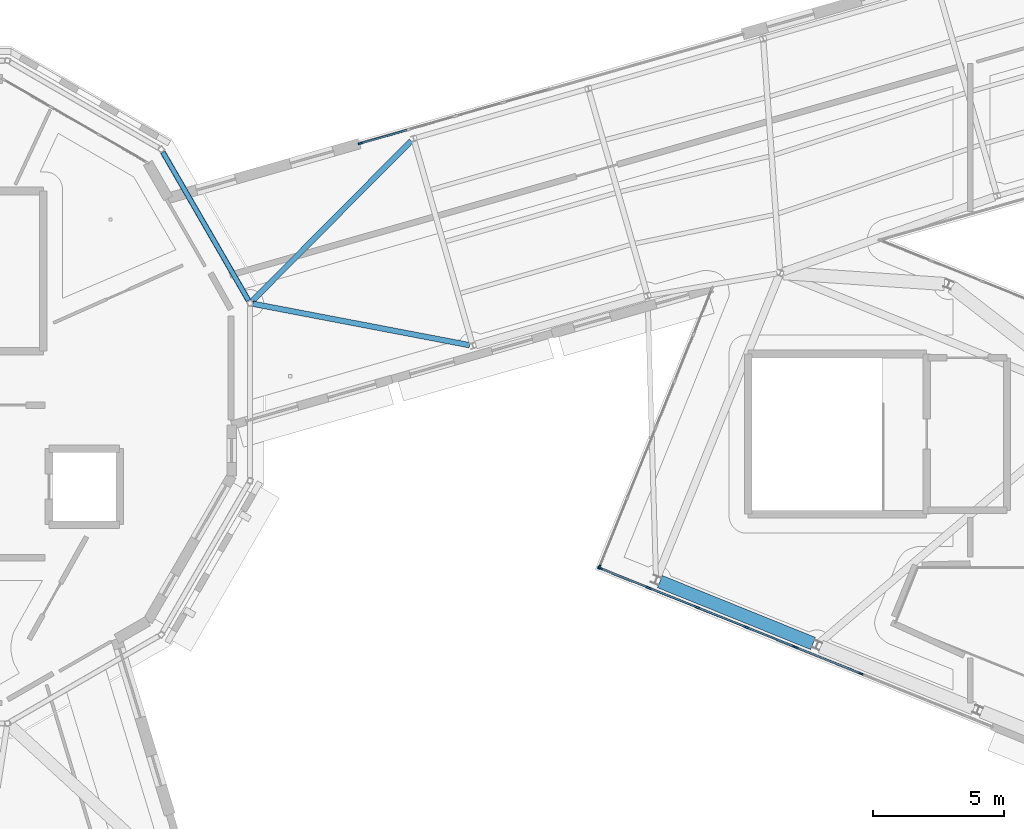
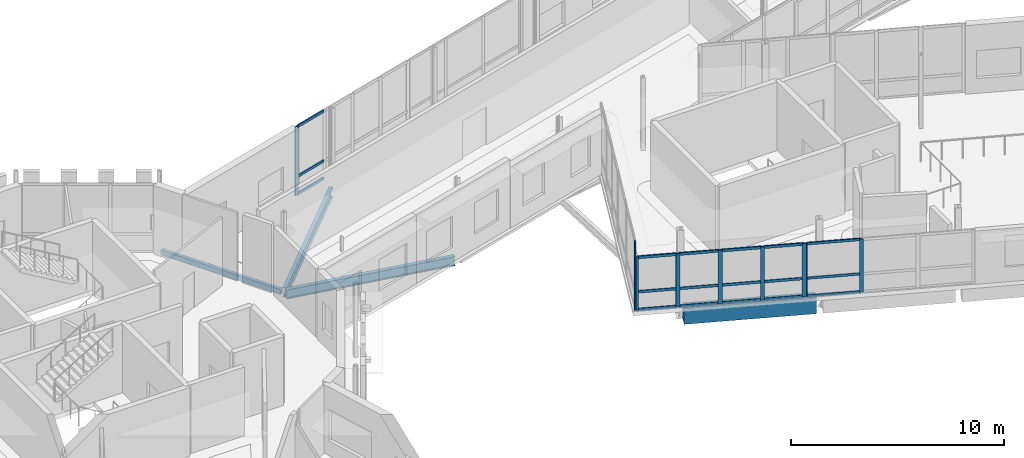
# One storey, part 41 of 125: 27 members, 4 beams, 4 elements without a shape of their own.
"""IFC4 building model written with IfcOpenShell, lengths in metres."""

from ifc_helpers import new_model, si_unit, direction, frame, origin, origin_2d, place, context, subcontext, project, spatial, rectangle, hollow_rectangle, i_section, extrude, material, material_profile, profile_set, type_object, element, aggregate, save


model = new_model("IFC4")

# Units and contexts
model_context = context("Model", 3, precision=1e-05, world=origin(), true_north=direction((0.0, 1.0)))
body_context = subcontext(model_context, "Body", "Model", "MODEL_VIEW")
ifc_project = project(units=[si_unit("LENGTHUNIT", "METRE"), si_unit("AREAUNIT", "SQUARE_METRE"), si_unit("VOLUMEUNIT", "CUBIC_METRE"), si_unit("PLANEANGLEUNIT", "RADIAN"), si_unit("MASSUNIT", "GRAM", prefix="KILO")], contexts=[model_context])

# Site, building, storey
site_placement = place(None, origin())
site = spatial("IfcSite", under=ifc_project, at=site_placement, CompositionType="ELEMENT")
building_placement = place(site_placement, origin())
building = spatial("IfcBuilding", under=site, at=building_placement, Name="Wrenclough Park School", CompositionType="ELEMENT")
storey_placement = place(building_placement, frame((0.0, 0.0, 4.199951171875)))
storey = spatial("IfcBuildingStorey", under=building, at=storey_placement, Name="L01", CompositionType="ELEMENT", Elevation=4.199951171875)

# Curtain wall, member
ifc_material_1 = material(Name="Thermally broken aluminium and low-e glass curtain wall", Category="aluminium")
curtain_wall_type_1 = type_object("IfcCurtainWallType", Name="ENV-CW-02", PredefinedType="USERDEFINED", material=ifc_material_1)
curtain_wall_1_placement = place(storey_placement, origin())
curtain_wall_1 = element("IfcCurtainWall", 1, at=curtain_wall_1_placement, inside=storey, type_object=curtain_wall_type_1, Name="L01 recessed curtain wall assembly 177", ObjectType="CURTAIN WALL", PredefinedType="USERDEFINED")
ifc_material_2 = material(Name="Thermally broken anodised aluminium", Category="aluminium")
ifc_material_profile_1 = material_profile(ifc_material_2, rectangle(XDim=0.06005859375, YDim=0.159912109375, at=origin_2d()), Name="AL MULLION 60x160")
ifc_profile_set_1 = profile_set([ifc_material_profile_1], Name="Thermally broken anodised aluminium")
member_type_1 = type_object("IfcMemberType", Name="ENV-CWM-1", PredefinedType="MULLION", material=ifc_profile_set_1)
member_1_placement = place(storey_placement, frame((42.39794921875, 82.84326171875, 0.0), z_axis=(0.0, 0.0, 1.0), x_axis=(-0.927188643944, 0.374594739073, 0.0)))
member_1 = element("IfcMember", 2, at=member_1_placement, type_object=member_type_1, Name="CW-02 mullion 1", PredefinedType="MULLION", context=body_context, shape_type="SweptSolid", body=[
    extrude(rectangle(XDim=0.06005859375, YDim=0.159912109375, at=origin_2d()), origin(), (0.0, 0.0, 1.0), 3.93994140625),
])
aggregate(curtain_wall_1, [member_1])

# Curtain wall, members
curtain_wall_type_2 = type_object("IfcCurtainWallType", Name="ENV-CW-16", PredefinedType="USERDEFINED", material=ifc_material_1)
curtain_wall_2_placement = place(storey_placement, origin())
curtain_wall_2 = element("IfcCurtainWall", 3, at=curtain_wall_2_placement, inside=storey, type_object=curtain_wall_type_2, Name="L01 recessed curtain wall assembly 175", ObjectType="CURTAIN WALL", PredefinedType="USERDEFINED")
ifc_material_profile_2 = material_profile(ifc_material_2, rectangle(XDim=0.06494140625, YDim=0.179931640625, at=origin_2d()), Name="AL MULLION 65x180")
ifc_profile_set_2 = profile_set([ifc_material_profile_2], Name="Thermally broken anodised aluminium")
member_type_2 = type_object("IfcMemberType", Name="ENV-CWM-2", PredefinedType="MULLION", material=ifc_profile_set_2)
member_2_placement = place(storey_placement, frame((52.34228515625, 78.788818359375, 0.0), z_axis=(0.0, 0.0, 1.0), x_axis=(-0.374602999753, -0.927185306493, 0.0)))
member_2 = element("IfcMember", 4, at=member_2_placement, type_object=member_type_2, Name="CW-16 mullion 3", PredefinedType="MULLION", context=body_context, shape_type="SweptSolid", body=[
    extrude(rectangle(XDim=0.06494140625, YDim=0.179931640625, at=origin_2d()), origin(), (0.0, 0.0, 1.0), 3.05712890625),
])
member_3_placement = place(storey_placement, frame((49.885986328125, 79.78125, 0.0), z_axis=(0.0, 0.0, 1.0), x_axis=(-0.374602999753, -0.927185306493, 0.0)))
member_3 = element("IfcMember", 5, at=member_3_placement, type_object=member_type_2, Name="CW-16 mullion 4", PredefinedType="MULLION", context=body_context, shape_type="SweptSolid", body=[
    extrude(rectangle(XDim=0.06494140625, YDim=0.179931640625, at=origin_2d()), origin(), (0.0, 0.0, 1.0), 3.05712890625),
])

# Curtain wall, member
curtain_wall_type_3 = type_object("IfcCurtainWallType", Name="ENV-CW-03", PredefinedType="USERDEFINED", material=ifc_material_1)
curtain_wall_3_placement = place(storey_placement, origin())
curtain_wall_3 = element("IfcCurtainWall", 6, at=curtain_wall_3_placement, inside=storey, type_object=curtain_wall_type_3, Name="L01 recessed curtain wall assembly 098", ObjectType="CURTAIN WALL", PredefinedType="USERDEFINED")
ifc_material_profile_3 = material_profile(ifc_material_2, rectangle(XDim=0.070068359375, YDim=0.199951171875, at=origin_2d()), Name="AL MULLION 70x200")
ifc_profile_set_3 = profile_set([ifc_material_profile_3], Name="Thermally broken anodised aluminium")
member_type_3 = type_object("IfcMemberType", Name="ENV-CWM-3", PredefinedType="MULLION", material=ifc_profile_set_3)
member_4_placement = place(storey_placement, frame((33.312744140625, 98.962890625, 0.0), z_axis=(0.0, 0.0, 1.0), x_axis=(-0.274726364021, 0.96152245159, 0.0)))
member_4 = element("IfcMember", 7, at=member_4_placement, type_object=member_type_3, Name="CW-03 mullion 1", PredefinedType="MULLION", context=body_context, shape_type="SweptSolid", body=[
    extrude(rectangle(XDim=0.070068359375, YDim=0.199951171875, at=origin_2d()), origin(), (0.0, 0.0, 1.0), 3.93994140625),
])

# Curtain wall, members
curtain_wall_type_4 = type_object("IfcCurtainWallType", Name="ENV-CW-01", PredefinedType="USERDEFINED", material=ifc_material_1)
curtain_wall_4_placement = place(storey_placement, origin())
curtain_wall_4 = element("IfcCurtainWall", 8, at=curtain_wall_4_placement, inside=storey, type_object=curtain_wall_type_4, Name="L01 recessed curtain wall assembly 176", ObjectType="CURTAIN WALL", PredefinedType="USERDEFINED")
member_5_placement = place(storey_placement, frame((49.816162109375, 79.8095703125, 0.0), z_axis=(0.0, 0.0, 1.0), x_axis=(-0.374602999753, -0.927185306493, 0.0)))
member_5 = element("IfcMember", 9, at=member_5_placement, type_object=member_type_3, Name="CW-01 mullion 1", PredefinedType="MULLION", context=body_context, shape_type="SweptSolid", body=[
    extrude(rectangle(XDim=0.070068359375, YDim=0.199951171875, at=origin_2d()), origin(), (0.0, 0.0, 1.0), 3.05712890625),
])
member_6_placement = place(storey_placement, frame((47.983642578125, 80.5498046875, 0.0), z_axis=(0.0, 0.0, 1.0), x_axis=(-0.374602999753, -0.927185306493, 0.0)))
member_6 = element("IfcMember", 10, at=member_6_placement, type_object=member_type_3, Name="CW-01 mullion 2", PredefinedType="MULLION", context=body_context, shape_type="SweptSolid", body=[
    extrude(rectangle(XDim=0.070068359375, YDim=0.199951171875, at=origin_2d()), origin(), (0.0, 0.0, 1.0), 3.05712890625),
])
member_7_placement = place(storey_placement, frame((46.11865234375, 81.30322265625, 0.0), z_axis=(0.0, 0.0, 1.0), x_axis=(-0.374602999753, -0.927185306493, 0.0)))
member_7 = element("IfcMember", 11, at=member_7_placement, type_object=member_type_3, Name="CW-01 mullion 3", PredefinedType="MULLION", context=body_context, shape_type="SweptSolid", body=[
    extrude(rectangle(XDim=0.070068359375, YDim=0.199951171875, at=origin_2d()), origin(), (0.0, 0.0, 1.0), 3.05712890625),
])
member_8_placement = place(storey_placement, frame((44.25390625, 82.056640625, 0.0), z_axis=(0.0, 0.0, 1.0), x_axis=(-0.374602999753, -0.927185306493, 0.0)))
member_8 = element("IfcMember", 12, at=member_8_placement, type_object=member_type_3, Name="CW-01 mullion 4", PredefinedType="MULLION", context=body_context, shape_type="SweptSolid", body=[
    extrude(rectangle(XDim=0.070068359375, YDim=0.199951171875, at=origin_2d()), origin(), (0.0, 0.0, 1.0), 3.05712890625),
])
member_9_placement = place(storey_placement, frame((42.42138671875, 82.797119140625, 0.0), z_axis=(0.0, 0.0, 1.0), x_axis=(-0.374602999753, -0.927185306493, 0.0)))
member_9 = element("IfcMember", 13, at=member_9_placement, type_object=member_type_3, Name="CW-01 mullion 5", PredefinedType="MULLION", context=body_context, shape_type="SweptSolid", body=[
    extrude(rectangle(XDim=0.070068359375, YDim=0.199951171875, at=origin_2d()), origin(), (0.0, 0.0, 1.0), 3.05712890625),
])

# Member
ifc_material_profile_4 = material_profile(ifc_material_2, rectangle(XDim=0.06494140625, YDim=0.139892578125, at=origin_2d()), Name="AL TRANSOM 65x140")
ifc_profile_set_4 = profile_set([ifc_material_profile_4], Name="Thermally broken anodised aluminium")
member_type_4 = type_object("IfcMemberType", Name="ENV-CWT-2", PredefinedType="USERDEFINED", material=ifc_profile_set_4)
member_10_placement = place(storey_placement, frame((52.312255859375, 78.801025390625, 0.032470703125), z_axis=(-0.927187575015, 0.374597384852, 0.0), x_axis=(-0.374597384852, -0.927187575015, 0.0)))
member_10 = element("IfcMember", 14, at=member_10_placement, type_object=member_type_4, Name="CW-16 transom 3.1", ObjectType="TRANSOM", PredefinedType="USERDEFINED", context=body_context, shape_type="SweptSolid", body=[
    extrude(rectangle(XDim=0.06494140625, YDim=0.139892578125, at=origin_2d()), origin(), (0.0, 0.0, 1.0), 2.584228515625),
])

member_11_placement = place(storey_placement, frame((52.312255859375, 78.801025390625, 1.050048828125), z_axis=(-0.927187575015, 0.374597384852, 0.0), x_axis=(-0.374597384852, -0.927187575015, 0.0)))
member_11 = element("IfcMember", 15, at=member_11_placement, type_object=member_type_4, Name="CW-16 transom 3.2", ObjectType="TRANSOM", PredefinedType="USERDEFINED", context=body_context, shape_type="SweptSolid", body=[
    extrude(rectangle(XDim=0.06494140625, YDim=0.139892578125, at=origin_2d()), origin(), (0.0, 0.0, 1.0), 2.584228515625),
])

member_12_placement = place(storey_placement, frame((52.312255859375, 78.801025390625, 3.024658203125), z_axis=(-0.927187575015, 0.374597384852, 0.0), x_axis=(-0.374597384852, -0.927187575015, 0.0)))
member_12 = element("IfcMember", 16, at=member_12_placement, type_object=member_type_4, Name="CW-16 transom 3.3", ObjectType="TRANSOM", PredefinedType="USERDEFINED", context=body_context, shape_type="SweptSolid", body=[
    extrude(rectangle(XDim=0.06494140625, YDim=0.139892578125, at=origin_2d()), origin(), (0.0, 0.0, 1.0), 2.584228515625),
])

aggregate(curtain_wall_2, [member_2, member_3, member_10, member_11, member_12])

ifc_material_profile_5 = material_profile(ifc_material_2, rectangle(XDim=0.070068359375, YDim=0.14990234375, at=origin_2d()), Name="AL TRANSOM 70x150")
ifc_profile_set_5 = profile_set([ifc_material_profile_5], Name="Thermally broken anodised aluminium")
member_type_5 = type_object("IfcMemberType", Name="ENV-CWT-3", PredefinedType="USERDEFINED", material=ifc_profile_set_5)
member_13_placement = place(storey_placement, frame((33.346435546875, 98.972412109375, 0.03515625), z_axis=(0.961508477875, 0.274775266308, 0.0), x_axis=(-0.274775266308, 0.961508477875, 0.0)))
member_13 = element("IfcMember", 17, at=member_13_placement, type_object=member_type_5, Name="CW-03 transom 1.1", ObjectType="TRANSOM", PredefinedType="USERDEFINED", context=body_context, shape_type="SweptSolid", body=[
    extrude(rectangle(XDim=0.070068359375, YDim=0.14990234375, at=origin_2d()), origin(), (0.0, 0.0, 1.0), 1.786865234375),
])

member_14_placement = place(storey_placement, frame((33.346435546875, 98.972412109375, 1.050048828125), z_axis=(0.961508477875, 0.274775266308, 0.0), x_axis=(-0.274775266308, 0.961508477875, 0.0)))
member_14 = element("IfcMember", 18, at=member_14_placement, type_object=member_type_5, Name="CW-03 transom 1.2", ObjectType="TRANSOM", PredefinedType="USERDEFINED", context=body_context, shape_type="SweptSolid", body=[
    extrude(rectangle(XDim=0.070068359375, YDim=0.14990234375, at=origin_2d()), origin(), (0.0, 0.0, 1.0), 1.786865234375),
])

member_15_placement = place(storey_placement, frame((33.346435546875, 98.972412109375, 3.905029296875), z_axis=(0.961508477875, 0.274775266308, 0.0), x_axis=(-0.274775266308, 0.961508477875, 0.0)))
member_15 = element("IfcMember", 19, at=member_15_placement, type_object=member_type_5, Name="CW-03 transom 1.3", ObjectType="TRANSOM", PredefinedType="USERDEFINED", context=body_context, shape_type="SweptSolid", body=[
    extrude(rectangle(XDim=0.070068359375, YDim=0.14990234375, at=origin_2d()), origin(), (0.0, 0.0, 1.0), 1.786865234375),
])

aggregate(curtain_wall_3, [member_4, member_13, member_14, member_15])

member_16_placement = place(storey_placement, frame((49.78369140625, 79.822509765625, 0.03515625), z_axis=(-0.927190520968, 0.374590093071, 0.0), x_axis=(-0.374590093071, -0.927190520968, 0.0)))
member_16 = element("IfcMember", 20, at=member_16_placement, type_object=member_type_5, Name="CW-01 transom 1.1", ObjectType="TRANSOM", PredefinedType="USERDEFINED", context=body_context, shape_type="SweptSolid", body=[
    extrude(rectangle(XDim=0.070068359375, YDim=0.14990234375, at=origin_2d()), origin(), (0.0, 0.0, 1.0), 1.906494140625),
])

member_17_placement = place(storey_placement, frame((49.78369140625, 79.822509765625, 1.050048828125), z_axis=(-0.927190520968, 0.374590093071, 0.0), x_axis=(-0.374590093071, -0.927190520968, 0.0)))
member_17 = element("IfcMember", 21, at=member_17_placement, type_object=member_type_5, Name="CW-01 transom 1.2", ObjectType="TRANSOM", PredefinedType="USERDEFINED", context=body_context, shape_type="SweptSolid", body=[
    extrude(rectangle(XDim=0.070068359375, YDim=0.14990234375, at=origin_2d()), origin(), (0.0, 0.0, 1.0), 1.906494140625),
])

member_18_placement = place(storey_placement, frame((49.78369140625, 79.822509765625, 3.02197265625), z_axis=(-0.927190520968, 0.374590093071, 0.0), x_axis=(-0.374590093071, -0.927190520968, 0.0)))
member_18 = element("IfcMember", 22, at=member_18_placement, type_object=member_type_5, Name="CW-01 transom 1.3", ObjectType="TRANSOM", PredefinedType="USERDEFINED", context=body_context, shape_type="SweptSolid", body=[
    extrude(rectangle(XDim=0.070068359375, YDim=0.14990234375, at=origin_2d()), origin(), (0.0, 0.0, 1.0), 1.906494140625),
])

member_19_placement = place(storey_placement, frame((47.951171875, 80.56298828125, 0.03515625), z_axis=(-0.927178847398, 0.374618986355, 0.0), x_axis=(-0.374618986355, -0.927178847398, 0.0)))
member_19 = element("IfcMember", 23, at=member_19_placement, type_object=member_type_5, Name="CW-01 transom 2.1", ObjectType="TRANSOM", PredefinedType="USERDEFINED", context=body_context, shape_type="SweptSolid", body=[
    extrude(rectangle(XDim=0.070068359375, YDim=0.14990234375, at=origin_2d()), origin(), (0.0, 0.0, 1.0), 1.94140625),
])

member_20_placement = place(storey_placement, frame((47.951171875, 80.56298828125, 1.050048828125), z_axis=(-0.927178847398, 0.374618986355, 0.0), x_axis=(-0.374618986355, -0.927178847398, 0.0)))
member_20 = element("IfcMember", 24, at=member_20_placement, type_object=member_type_5, Name="CW-01 transom 2.2", ObjectType="TRANSOM", PredefinedType="USERDEFINED", context=body_context, shape_type="SweptSolid", body=[
    extrude(rectangle(XDim=0.070068359375, YDim=0.14990234375, at=origin_2d()), origin(), (0.0, 0.0, 1.0), 1.94140625),
])

member_21_placement = place(storey_placement, frame((47.951171875, 80.56298828125, 3.02197265625), z_axis=(-0.927178847398, 0.374618986355, 0.0), x_axis=(-0.374618986355, -0.927178847398, 0.0)))
member_21 = element("IfcMember", 25, at=member_21_placement, type_object=member_type_5, Name="CW-01 transom 2.3", ObjectType="TRANSOM", PredefinedType="USERDEFINED", context=body_context, shape_type="SweptSolid", body=[
    extrude(rectangle(XDim=0.070068359375, YDim=0.14990234375, at=origin_2d()), origin(), (0.0, 0.0, 1.0), 1.94140625),
])

member_22_placement = place(storey_placement, frame((46.086181640625, 81.31640625, 0.03515625), z_axis=(-0.927161196175, 0.374662670022, 0.0), x_axis=(-0.374662670022, -0.927161196175, 0.0)))
member_22 = element("IfcMember", 26, at=member_22_placement, type_object=member_type_5, Name="CW-01 transom 3.1", ObjectType="TRANSOM", PredefinedType="USERDEFINED", context=body_context, shape_type="SweptSolid", body=[
    extrude(rectangle(XDim=0.070068359375, YDim=0.14990234375, at=origin_2d()), origin(), (0.0, 0.0, 1.0), 1.941162109375),
])

member_23_placement = place(storey_placement, frame((46.086181640625, 81.31640625, 1.050048828125), z_axis=(-0.927161196175, 0.374662670022, 0.0), x_axis=(-0.374662670022, -0.927161196175, 0.0)))
member_23 = element("IfcMember", 27, at=member_23_placement, type_object=member_type_5, Name="CW-01 transom 3.2", ObjectType="TRANSOM", PredefinedType="USERDEFINED", context=body_context, shape_type="SweptSolid", body=[
    extrude(rectangle(XDim=0.070068359375, YDim=0.14990234375, at=origin_2d()), origin(), (0.0, 0.0, 1.0), 1.941162109375),
])

member_24_placement = place(storey_placement, frame((46.086181640625, 81.31640625, 3.02197265625), z_axis=(-0.927161196175, 0.374662670022, 0.0), x_axis=(-0.374662670022, -0.927161196175, 0.0)))
member_24 = element("IfcMember", 28, at=member_24_placement, type_object=member_type_5, Name="CW-01 transom 3.3", ObjectType="TRANSOM", PredefinedType="USERDEFINED", context=body_context, shape_type="SweptSolid", body=[
    extrude(rectangle(XDim=0.070068359375, YDim=0.14990234375, at=origin_2d()), origin(), (0.0, 0.0, 1.0), 1.941162109375),
])

member_25_placement = place(storey_placement, frame((44.221435546875, 82.06982421875, 0.03515625), z_axis=(-0.927190520968, 0.374590093071, 0.0), x_axis=(-0.374590093071, -0.927190520968, 0.0)))
member_25 = element("IfcMember", 29, at=member_25_placement, type_object=member_type_5, Name="CW-01 transom 4.1", ObjectType="TRANSOM", PredefinedType="USERDEFINED", context=body_context, shape_type="SweptSolid", body=[
    extrude(rectangle(XDim=0.070068359375, YDim=0.14990234375, at=origin_2d()), origin(), (0.0, 0.0, 1.0), 1.906494140625),
])

member_26_placement = place(storey_placement, frame((44.221435546875, 82.06982421875, 1.050048828125), z_axis=(-0.927190520968, 0.374590093071, 0.0), x_axis=(-0.374590093071, -0.927190520968, 0.0)))
member_26 = element("IfcMember", 30, at=member_26_placement, type_object=member_type_5, Name="CW-01 transom 4.2", ObjectType="TRANSOM", PredefinedType="USERDEFINED", context=body_context, shape_type="SweptSolid", body=[
    extrude(rectangle(XDim=0.070068359375, YDim=0.14990234375, at=origin_2d()), origin(), (0.0, 0.0, 1.0), 1.906494140625),
])

member_27_placement = place(storey_placement, frame((44.221435546875, 82.06982421875, 3.02197265625), z_axis=(-0.927190520968, 0.374590093071, 0.0), x_axis=(-0.374590093071, -0.927190520968, 0.0)))
member_27 = element("IfcMember", 31, at=member_27_placement, type_object=member_type_5, Name="CW-01 transom 4.3", ObjectType="TRANSOM", PredefinedType="USERDEFINED", context=body_context, shape_type="SweptSolid", body=[
    extrude(rectangle(XDim=0.070068359375, YDim=0.14990234375, at=origin_2d()), origin(), (0.0, 0.0, 1.0), 1.906494140625),
])

aggregate(curtain_wall_4, [member_5, member_6, member_7, member_8, member_9, member_16, member_17, member_18, member_19, member_20, member_21, member_22, member_23, member_24, member_25, member_26, member_27])

# Beams
ifc_material_3 = material(Name="Concrete C40/50", Category="concrete")
ifc_material_profile_6 = material_profile(ifc_material_3, rectangle(XDim=0.5, YDim=0.89990234375, at=origin_2d()), Name="RC BEAM 500x900")
ifc_profile_set_6 = profile_set([ifc_material_profile_6], Name="Concrete C40/50")
beam_type_1 = type_object("IfcBeamType", Name="STR-BM-RC500", PredefinedType="BEAM", material=ifc_profile_set_6)
beam_1_placement = place(storey_placement, frame((44.6943359375, 82.28857421875, -0.68994140625), z_axis=(0.927188145435, -0.37459597297, 0.0), x_axis=(0.37459597297, 0.927188145435, 0.0)))
element("IfcBeam", 32, at=beam_1_placement, inside=storey, type_object=beam_type_1, Name="W34 Dining Pavilion L01 frame girder 0.2", PredefinedType="BEAM", context=body_context, shape_type="SweptSolid", body=[
    extrude(rectangle(XDim=0.5, YDim=0.89990234375, at=origin_2d()), origin(), (0.0, 0.0, 1.0), 6.2861328125),
])
ifc_material_4 = material(Name="Structural steel S355", Category="steel")
ifc_material_profile_7 = material_profile(ifc_material_4, hollow_rectangle(XDim=0.199951171875, YDim=0.300048828125, WallThickness=0.012451171875, InnerFilletRadius=0.012451171875, OuterFilletRadius=0.018798828125, at=origin_2d()), Name="RHS 300x200x12.5")
ifc_profile_set_7 = profile_set([ifc_material_profile_7], Name="Structural steel S355")
beam_type_2 = type_object("IfcBeamType", Name="STR-BM-RHS300", PredefinedType="SPANDREL", material=ifc_profile_set_7)
beam_2_placement = place(storey_placement, frame((29.04541015625, 92.9814453125, -0.4150390625), z_axis=(-0.500024110927, 0.866011482887, 0.0), x_axis=(-0.866011482887, -0.500024110927, 0.0)))
element("IfcBeam", 33, at=beam_2_placement, inside=storey, type_object=beam_type_2, Name="D3 L01 outer ring spandrel beam 1", PredefinedType="SPANDREL", context=body_context, shape_type="SweptSolid", body=[
    extrude(hollow_rectangle(XDim=0.199951171875, YDim=0.300048828125, WallThickness=0.012451171875, InnerFilletRadius=0.012451171875, OuterFilletRadius=0.018798828125, at=origin_2d()), origin(), (0.0, 0.0, 1.0), 6.515380859375),
])
ifc_material_profile_8 = material_profile(ifc_material_4, i_section(OverallWidth=0.209228515625, OverallDepth=0.533203125, WebThickness=0.010009765625, FlangeThickness=0.015625, FilletRadius=0.0126953125, at=origin_2d()), Name="UKB 533x210x92")
ifc_profile_set_8 = profile_set([ifc_material_profile_8], Name="Structural steel S355")
beam_type_3 = type_object("IfcBeamType", Name="STR-BM-UKB533A", PredefinedType="BEAM", material=ifc_profile_set_8)
beam_3_placement = place(storey_placement, frame((35.237548828125, 99.055419921875, -0.531494140625), z_axis=(-0.704499791717, -0.709704194345, 0.0), x_axis=(0.709704194345, -0.704499791717, 0.0)))
element("IfcBeam", 34, at=beam_3_placement, inside=storey, type_object=beam_type_3, Name="W34 L01 drum junction tie beam 21", PredefinedType="BEAM", context=body_context, shape_type="SweptSolid", body=[
    extrude(i_section(OverallWidth=0.209228515625, OverallDepth=0.533203125, WebThickness=0.010009765625, FlangeThickness=0.015625, FilletRadius=0.0126953125, at=origin_2d()), origin(), (0.0, 0.0, 1.0), 8.584716796875),
])
beam_4_placement = place(storey_placement, frame((37.456298828125, 91.28076171875, -0.531494140625), z_axis=(-0.982206779918, 0.187802666338, 0.0), x_axis=(-0.187802666338, -0.982206779918, 0.0)))
element("IfcBeam", 35, at=beam_4_placement, inside=storey, type_object=beam_type_3, Name="W34 L01 drum junction tie beam 23", PredefinedType="BEAM", context=body_context, shape_type="SweptSolid", body=[
    extrude(i_section(OverallWidth=0.209228515625, OverallDepth=0.533203125, WebThickness=0.010009765625, FlangeThickness=0.015625, FilletRadius=0.0126953125, at=origin_2d()), origin(), (0.0, 0.0, 1.0), 8.38232421875),
])

save(model, "model.ifc")
